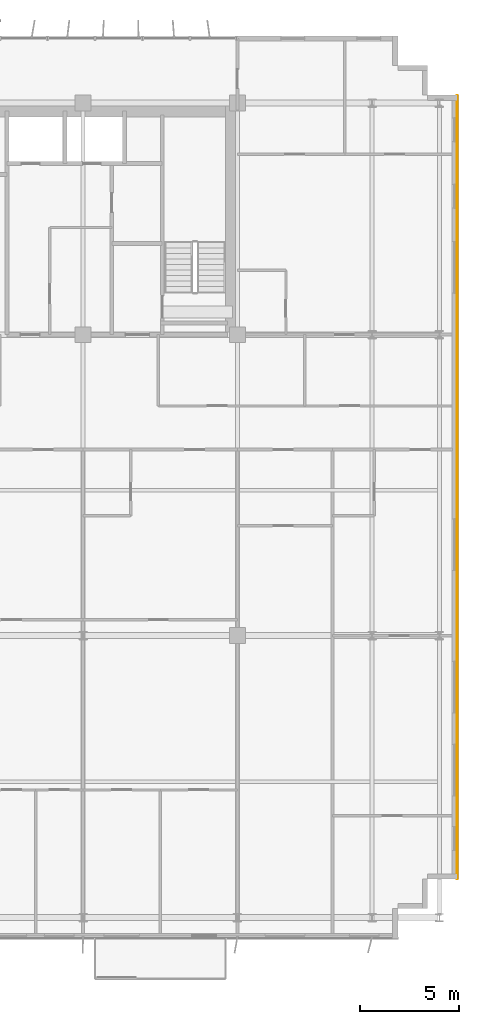
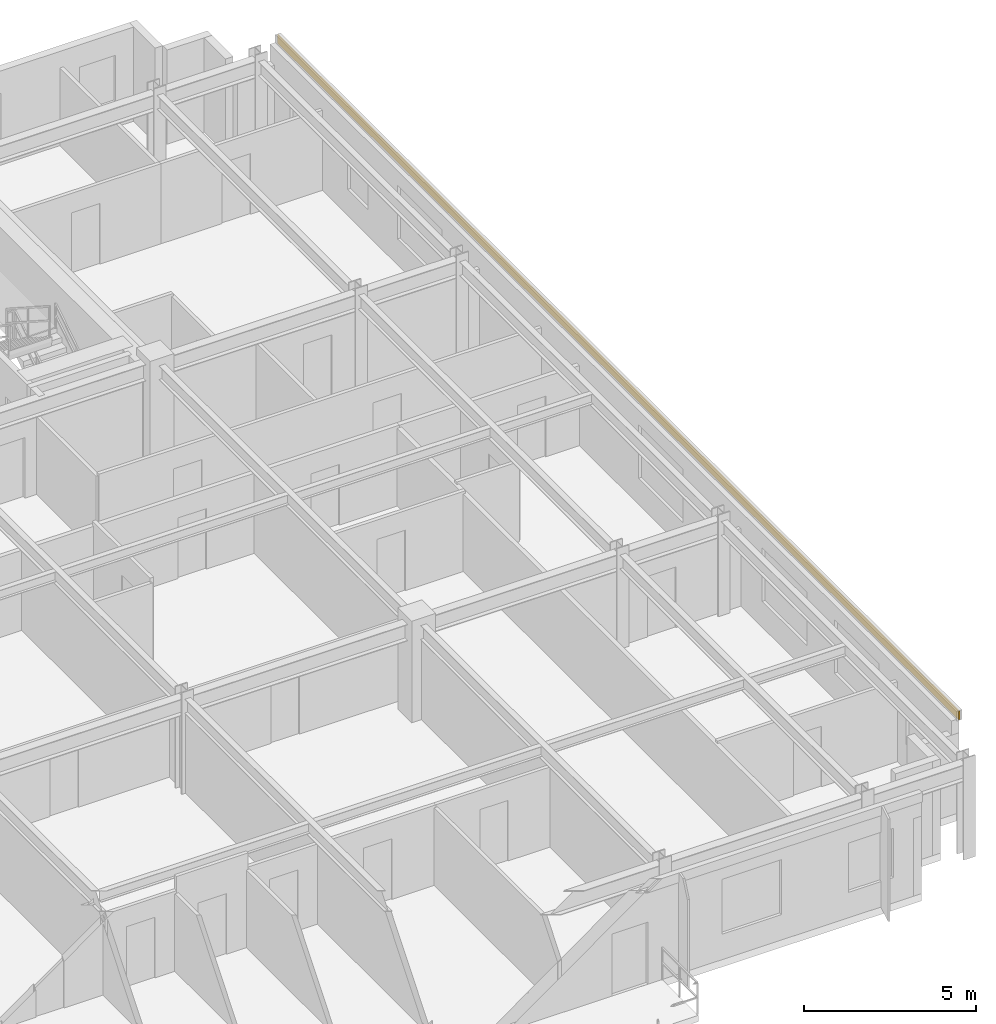
# One storey, part 22 of 22: 1 covering.
"""IFC4 building model written with IfcOpenShell, lengths in metres."""

from ifc_helpers import new_model, si_unit, direction, frame, origin, origin_2d, place, context, subcontext, project, spatial, rectangle, extrude, source, transform, mapped, material, layer, layer_set, type_object, element, save


model = new_model("IFC4")

# Units and contexts
model_context = context("Model", 3, precision=1e-05, world=origin(), true_north=direction((0.0, 1.0)))
body_context = subcontext(model_context, "Body", "Model", "MODEL_VIEW")
ifc_project = project(units=[si_unit("LENGTHUNIT", "METRE"), si_unit("AREAUNIT", "SQUARE_METRE"), si_unit("VOLUMEUNIT", "CUBIC_METRE"), si_unit("PLANEANGLEUNIT", "RADIAN"), si_unit("MASSUNIT", "GRAM", prefix="KILO")], contexts=[model_context])

# Site, building, storey
site_placement = place(None, origin())
site = spatial("IfcSite", under=ifc_project, at=site_placement, CompositionType="ELEMENT")
building_placement = place(site_placement, origin())
building = spatial("IfcBuilding", under=site, at=building_placement, Name="Trelvane Seafront Commons", CompositionType="ELEMENT")
storey_placement = place(building_placement, frame((0.0, 0.0, 88.89990234375)))
storey = spatial("IfcBuildingStorey", under=building, at=storey_placement, Name="L22", CompositionType="ELEMENT", Elevation=88.89990234375)

# Covering
ifc_material = material(Name="Anodised pale-silver aluminium", Category="aluminium")
ifc_layer = layer(ifc_material, 0.034912109375, Name="ARCH-COV-CLAD35")
ifc_layer_set = layer_set([ifc_layer], Name="Anodised pale-silver aluminium")
covering_type = type_object("IfcCoveringType", Name="ARCH-COV-CLAD35", PredefinedType="CLADDING", material=ifc_layer_set)
shared_shape = source(origin(), body_context, "Body", "SweptSolid", [
    extrude(rectangle(XDim=39.60009765625, YDim=0.034912109375, at=origin_2d()), origin(), (0.0, 0.0, 1.0), 0.300048828125),
])
covering_placement = place(storey_placement, frame((69.89990234375, 25.699951171875, 3.30029296875), z_axis=(0.0, 0.0, 1.0), x_axis=(0.0, -1.0, 0.0)))
element("IfcCovering", 1, at=covering_placement, inside=storey, type_object=covering_type, Name="CLD-L22-00098", PredefinedType="CLADDING", context=body_context, shape_type="MappedRepresentation", body=[
    mapped(shared_shape, transform((0.0, 0.0, 0.0), x_axis=(1.0, 0.0, 0.0), y_axis=(0.0, 1.0, 0.0), z_axis=(0.0, 0.0, 1.0), scale=1.0)),
])

save(model, "model.ifc")
